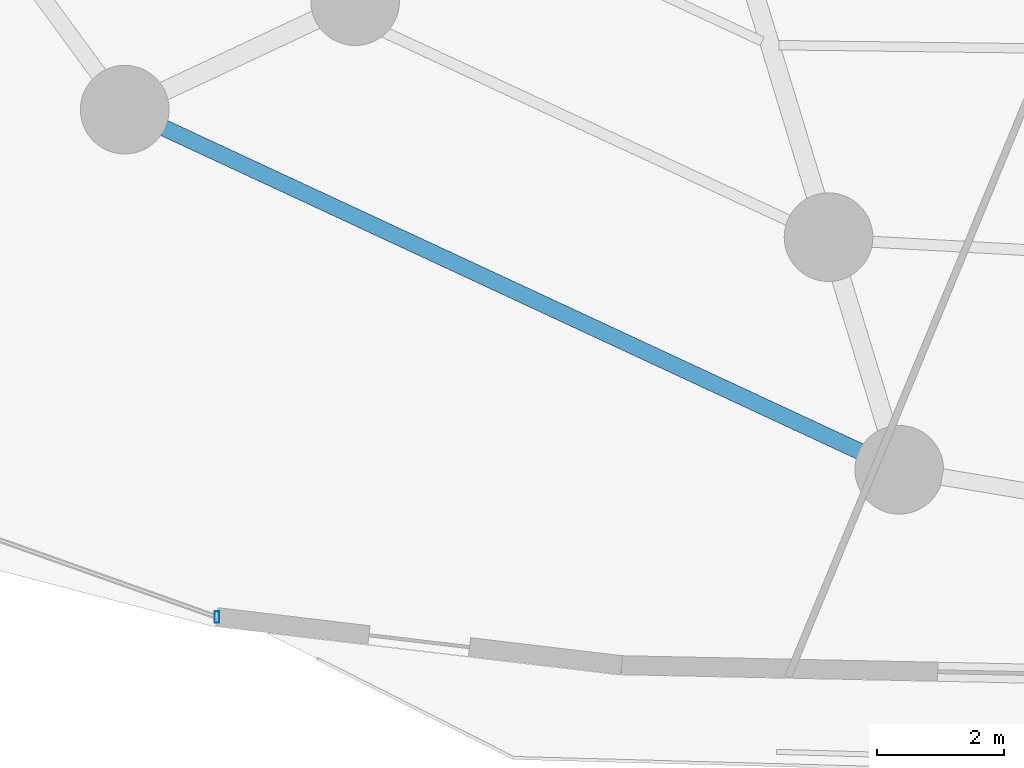
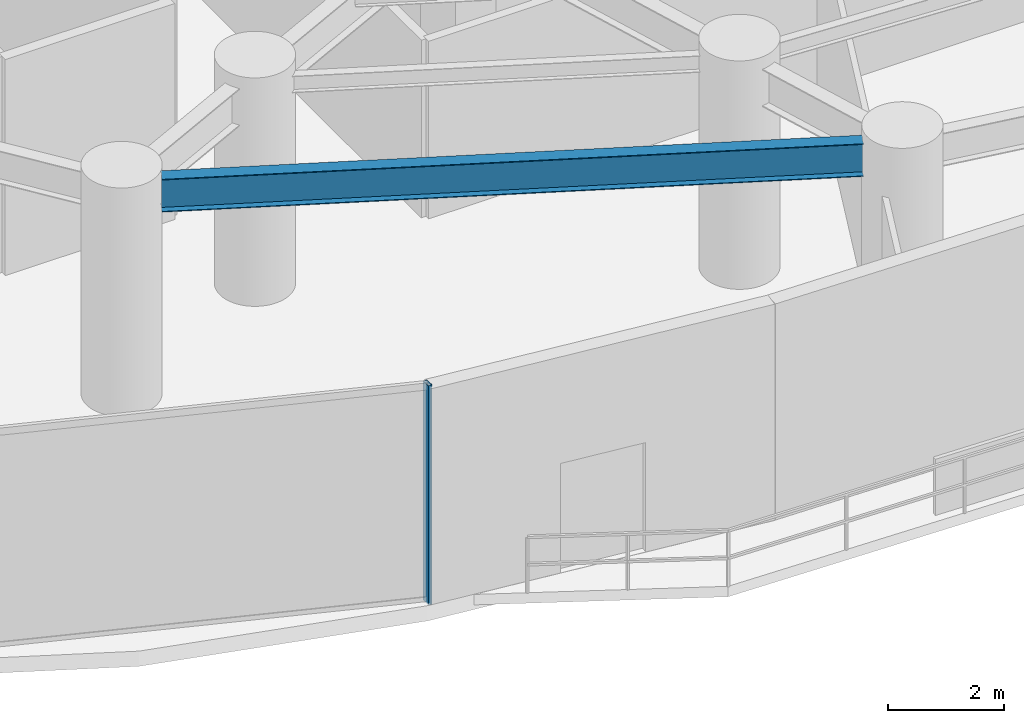
# One storey, part 5 of 32: 1 beam, 1 member, 1 element without a shape of its own.
"""IFC4 building model written with IfcOpenShell, lengths in metres."""

from ifc_helpers import new_model, si_unit, direction, frame, origin, origin_2d, place, context, subcontext, project, spatial, hollow_rectangle, i_section, extrude, material, material_profile, profile_set, type_object, element, aggregate, save


model = new_model("IFC4")

# Units and contexts
model_context = context("Model", 3, precision=1e-05, world=origin(), true_north=direction((0.0, 1.0)))
body_context = subcontext(model_context, "Body", "Model", "MODEL_VIEW")
ifc_project = project(units=[si_unit("LENGTHUNIT", "METRE"), si_unit("AREAUNIT", "SQUARE_METRE"), si_unit("VOLUMEUNIT", "CUBIC_METRE"), si_unit("PLANEANGLEUNIT", "RADIAN"), si_unit("MASSUNIT", "GRAM", prefix="KILO")], contexts=[model_context])

# Site, building, storey
site_placement = place(None, origin())
site = spatial("IfcSite", under=ifc_project, at=site_placement, CompositionType="ELEMENT")
building_placement = place(site_placement, origin())
building = spatial("IfcBuilding", under=site, at=building_placement, Name="Vorneva Point Tower", CompositionType="ELEMENT")
storey_placement = place(building_placement, frame((0.0, 0.0, 19.199951171875)))
storey = spatial("IfcBuildingStorey", under=building, at=storey_placement, Name="L04", CompositionType="ELEMENT", Elevation=19.199951171875)

# Beam
ifc_material_1 = material(Name="Steel S355", Category="steel")
ifc_material_profile_1 = material_profile(ifc_material_1, i_section(OverallWidth=0.260009765625, OverallDepth=0.69091796875, WebThickness=0.011962890625, FlangeThickness=0.015380859375, at=origin_2d()), Name="70B1")
ifc_profile_set_1 = profile_set([ifc_material_profile_1], Name="Steel S355")
beam_type = type_object("IfcBeamType", Name="BM-SPN-70B1", PredefinedType="SPANDREL", material=ifc_profile_set_1)
beam_placement = place(storey_placement, frame((18.682373046875, 11.83544921875, 4.194580078125), z_axis=(0.906780557897, -0.421602917234, 0.0), x_axis=(0.421602917234, 0.906780557897, 0.0)))
element("IfcBeam", 1, at=beam_placement, inside=storey, type_object=beam_type, Name="L04 Perimeter Spandrel Ring Beam 11", PredefinedType="SPANDREL", context=body_context, shape_type="SweptSolid", body=[
    extrude(i_section(OverallWidth=0.260009765625, OverallDepth=0.69091796875, WebThickness=0.011962890625, FlangeThickness=0.015380859375, at=origin_2d()), origin(), (0.0, 0.0, 1.0), 12.12353515625),
])

# Curtain wall, member
ifc_material_2 = material(Name="Pale anodised aluminium", Category="aluminium")
curtain_wall_type = type_object("IfcCurtainWallType", Name="CW-POD-SYS", PredefinedType="NOTDEFINED", material=ifc_material_2)
curtain_wall_placement = place(storey_placement, origin())
curtain_wall = element("IfcCurtainWall", 2, at=curtain_wall_placement, inside=storey, type_object=curtain_wall_type, Name="L04 Unitised Curtain Wall CW-L04-R03", PredefinedType="NOTDEFINED")
ifc_material_profile_2 = material_profile(ifc_material_2, hollow_rectangle(XDim=0.074951171875, YDim=0.179931640625, WallThickness=0.00390625, at=origin_2d()), Name="AL-MUL 180x75x4")
ifc_profile_set_2 = profile_set([ifc_material_profile_2], Name="Pale anodised aluminium")
member_type = type_object("IfcMemberType", Name="CW-MUL-180", PredefinedType="MULLION", material=ifc_profile_set_2)
member_placement = place(storey_placement, frame((19.517578125, 4.107177734375, -0.0400390625), z_axis=(0.0, 0.0, 1.0), x_axis=(1.0, 0.0, 0.0)))
member = element("IfcMember", 3, at=member_placement, type_object=member_type, Name="CW-L04-R03 Mullion 06", PredefinedType="MULLION", context=body_context, shape_type="SweptSolid", body=[
    extrude(hollow_rectangle(XDim=0.074951171875, YDim=0.179931640625, WallThickness=0.00390625, at=origin_2d()), origin(), (0.0, 0.0, 1.0), 4.610107421875),
])
aggregate(curtain_wall, [member])

save(model, "model.ifc")
